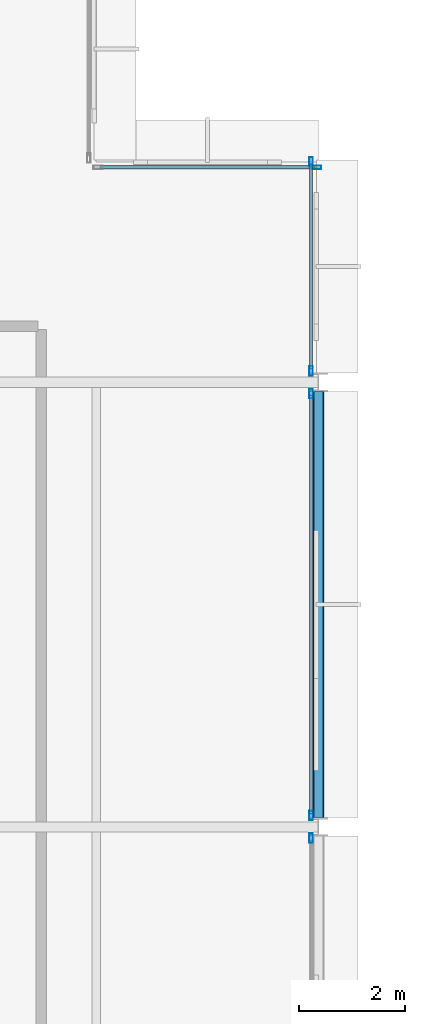
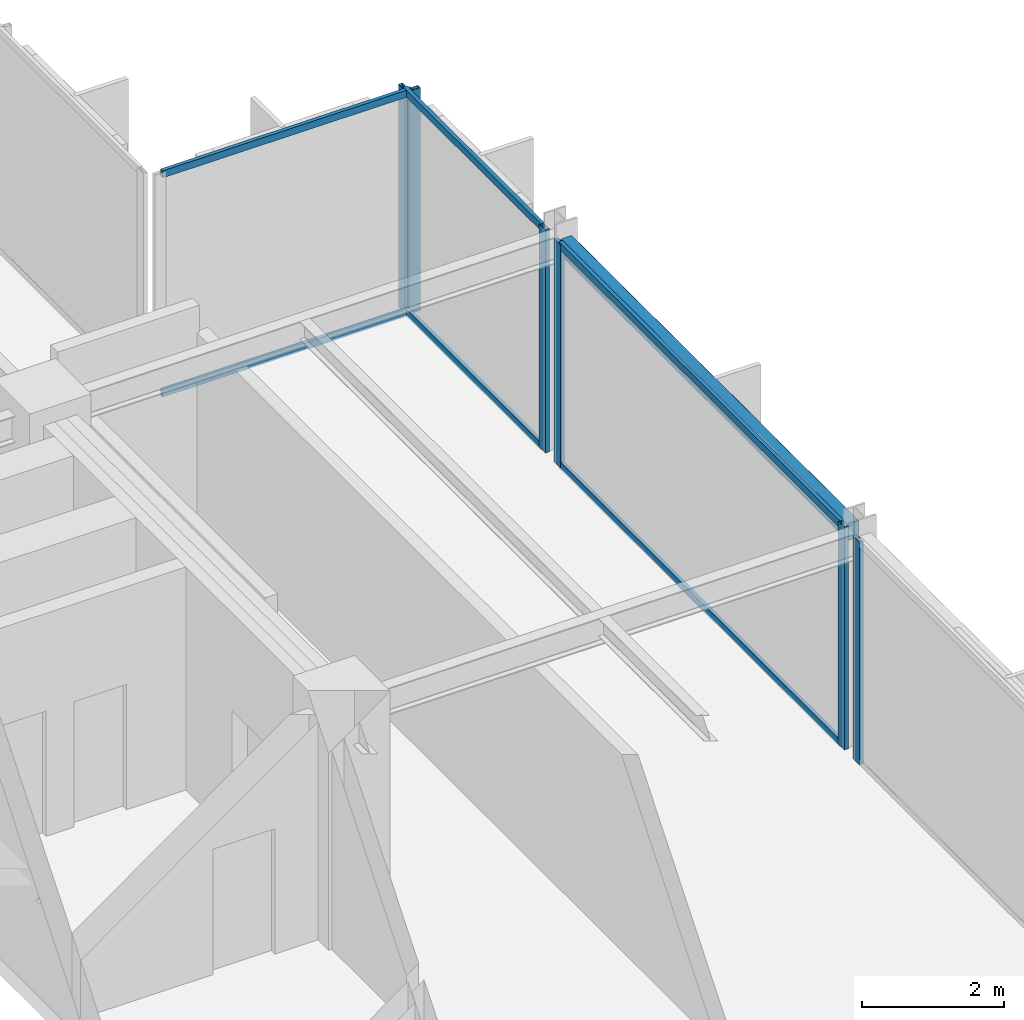
# One storey, part 22 of 30: 12 members, 1 beam, 4 elements without a shape of their own.
"""IFC4 building model written with IfcOpenShell, lengths in metres."""

import ifcopenshell
import ifcopenshell.guid

model = None  # the IFC model being written
_history = None  # IfcOwnerHistory: only IFC2X3 demands one
_inside = {}  # id of a spatial element -> (the spatial element, [elements in it])
_under = {}  # id of a project, library or spatial element -> (it, [spatial elements below it])
_declared = {}  # id of a project -> (the project, [libraries it declares])
_typed = {}  # id of a type object -> (the type object, [elements of that type])
_made_of = {}  # id of a material, layer set ... -> (it, [elements and type objects made of it])


def new_model(schema):
    """Start an empty IFC model of exactly this schema.

    Asked for "IFC4X3", IfcOpenShell would pick the latest addendum, in which some entities
    have other attributes; the version numbers below select the first issue.
    IFC2X3 requires an IfcOwnerHistory on every rooted entity: one is made here for all.
    """
    global model, _history
    if schema == "IFC4X3":
        model = ifcopenshell.file(schema_version=(4, 3, 0, 0))
    else:
        model = ifcopenshell.file(schema=schema)
    _inside.clear()
    _under.clear()
    _declared.clear()
    _typed.clear()
    _made_of.clear()
    _history = None
    if model.schema == "IFC2X3":
        org = make("IfcOrganization", Name="unknown")
        user = make(
            "IfcPersonAndOrganization",
            ThePerson=make("IfcPerson", FamilyName="unknown"),
            TheOrganization=org,
        )
        app = make(
            "IfcApplication",
            ApplicationDeveloper=org,
            Version="unknown",
            ApplicationFullName="unknown",
            ApplicationIdentifier="unknown",
        )
        _history = make(
            "IfcOwnerHistory",
            OwningUser=user,
            OwningApplication=app,
            ChangeAction="ADDED",
            CreationDate=0,
        )
    return model


def make(cls, **values):
    """One entity of the class cls with the attributes given. An attribute that is None is left unset."""
    return model.create_entity(
        cls, **{name: value for name, value in values.items() if value is not None}
    )


def rooted(cls, **values):
    """An entity with a GlobalId (a new one), such as an element, a storey or a relation."""
    return make(cls, GlobalId=ifcopenshell.guid.new(), OwnerHistory=_history, **values)


def si_unit(unit_type, name, prefix=None):
    """IfcSIUnit, for example si_unit("LENGTHUNIT", "METRE", prefix="MILLI")."""
    return make("IfcSIUnit", UnitType=unit_type, Prefix=prefix, Name=name)


def assignment(units):
    """IfcUnitAssignment: the units of a project."""
    return None if units is None else make("IfcUnitAssignment", Units=units)


def point(xyz):
    """IfcCartesianPoint."""
    return None if xyz is None else make("IfcCartesianPoint", Coordinates=xyz)


def direction(xyz):
    """IfcDirection."""
    return None if xyz is None else make("IfcDirection", DirectionRatios=xyz)


def frame(location, z_axis=None, x_axis=None):
    """IfcAxis2Placement3D, a coordinate frame: its origin and axes. An axis left out is left unset."""
    return make(
        "IfcAxis2Placement3D",
        Location=point(location),
        Axis=direction(z_axis),
        RefDirection=direction(x_axis),
    )


def frame_2d(location, x_axis=None):
    """IfcAxis2Placement2D, a coordinate frame in the plane: its origin and x axis."""
    return make(
        "IfcAxis2Placement2D", Location=point(location), RefDirection=direction(x_axis)
    )


def origin():
    """The frame at (0, 0, 0) with its axes left unset."""
    return frame((0.0, 0.0, 0.0))


def origin_2d():
    """The frame at (0, 0) in the plane with its x axis left unset."""
    return frame_2d((0.0, 0.0))


def place(relative_to, where):
    """IfcLocalPlacement: puts the frame where relative to a parent placement (None: the world)."""
    return make(
        "IfcLocalPlacement", PlacementRelTo=relative_to, RelativePlacement=where
    )


def context(
    kind, dimensions, precision=None, world=None, true_north=None, identifier=None
):
    """IfcGeometricRepresentationContext, for example the 3D "Model" context."""
    return make(
        "IfcGeometricRepresentationContext",
        ContextIdentifier=identifier,
        ContextType=kind,
        CoordinateSpaceDimension=dimensions,
        Precision=precision,
        WorldCoordinateSystem=world,
        TrueNorth=true_north,
    )


def subcontext(parent, identifier, kind, view, scale=None):
    """IfcGeometricRepresentationSubContext, for example "Body" below "Model"."""
    return make(
        "IfcGeometricRepresentationSubContext",
        ContextIdentifier=identifier,
        ContextType=kind,
        ParentContext=parent,
        TargetScale=scale,
        TargetView=view,
    )


def project(units=None, contexts=None):
    """IfcProject with its units and contexts."""
    return rooted(
        "IfcProject",
        Name="project",
        RepresentationContexts=contexts,
        UnitsInContext=assignment(units),
    )


def spatial(cls, under=None, at=None, **own):
    """A site, building, storey or space (cls), placed at a placement, below another one or the project."""
    s = rooted(cls, ObjectPlacement=at, **own)
    if under is not None:
        _under.setdefault(under.id(), (under, []))[1].append(s)
    return s


def profile(cls, at=None, kind="AREA", **sizes):
    """A parametric profile (cls). Its sizes go by their IFC names, for example OverallWidth=200.0."""
    return make(cls, ProfileType=kind, Position=at, **sizes)


def hollow_rectangle(**sizes):
    """IfcRectangleHollowProfileDef."""
    return profile("IfcRectangleHollowProfileDef", **sizes)


def extrude(swept, where, along, depth):
    """IfcExtrudedAreaSolid: the profile swept, set in the frame where, extruded along a direction by depth."""
    return make(
        "IfcExtrudedAreaSolid",
        SweptArea=swept,
        Position=where,
        ExtrudedDirection=direction(along),
        Depth=depth,
    )


def shape(context_of_items, identifier, shape_type, items):
    """IfcShapeRepresentation: the items that make up one representation, for example the "Body"."""
    return make(
        "IfcShapeRepresentation",
        ContextOfItems=context_of_items,
        RepresentationIdentifier=identifier,
        RepresentationType=shape_type,
        Items=items,
    )


def material(Name=None, Category=None):
    """IfcMaterial."""
    return make("IfcMaterial", Name=Name, Category=Category)


def layer(
    of_material, thickness, ventilated=None, Name=None, Category=None, Priority=None
):
    """IfcMaterialLayer: one layer of a wall or slab, of a material (None: an air gap)."""
    return make(
        "IfcMaterialLayer",
        Material=of_material,
        LayerThickness=thickness,
        IsVentilated=ventilated,
        Name=Name,
        Category=Category,
        Priority=Priority,
    )


def layer_set(layers, Name=None):
    """IfcMaterialLayerSet."""
    return make("IfcMaterialLayerSet", MaterialLayers=layers, LayerSetName=Name)


def material_profile(
    of_material, cross_section, Name=None, Category=None, Priority=None
):
    """IfcMaterialProfile: a cross section and its material."""
    return make(
        "IfcMaterialProfile",
        Name=Name,
        Material=of_material,
        Profile=cross_section,
        Priority=Priority,
        Category=Category,
    )


def profile_set(profiles, Name=None, composite=None):
    """IfcMaterialProfileSet."""
    return make(
        "IfcMaterialProfileSet",
        Name=Name,
        MaterialProfiles=profiles,
        CompositeProfile=composite,
    )


def made_of(thing, what):
    """Note that an element or type object is made of a material, layer set ...; save() writes the relation."""
    if what is not None:
        _made_of.setdefault(what.id(), (what, []))[1].append(thing)
    return thing


def type_object(cls, material=None, **own):
    """A type object (cls), such as IfcWallType, which elements share."""
    return made_of(rooted(cls, **own), material)


def element(
    cls,
    number,
    at=None,
    inside=None,
    cuts=None,
    type_object=None,
    material=None,
    context=None,
    identifier="Body",
    shape_type=None,
    held_by="IfcProductDefinitionShape",
    body=None,
    shapes=None,
    **own,
):
    """One element of the class cls, such as IfcWall. Its Tag is "e" and its number.

    at: its placement. inside: the storey or other place that contains it. cuts: it is an
    opening in that element (IfcRelVoidsElement). A single representation is given by context,
    identifier, shape_type and body (its items); several are given by shapes. held_by: the class
    of the entity that holds the representations. save() writes the other relations.
    """
    e = rooted(cls, Tag="e%d" % number, ObjectPlacement=at, **own)
    if body is not None:
        shapes = [shape(context, identifier, shape_type, body)]
    if shapes is not None:
        e.Representation = make(held_by, Representations=shapes)
    if inside is not None:
        _inside.setdefault(inside.id(), (inside, []))[1].append(e)
    if cuts is not None:
        rooted(
            "IfcRelVoidsElement", RelatingBuildingElement=cuts, RelatedOpeningElement=e
        )
    if type_object is not None:
        _typed.setdefault(type_object.id(), (type_object, []))[1].append(e)
    return made_of(e, material)


def aggregate(whole, parts):
    """IfcRelAggregates: a whole, such as a stair, and the parts it consists of."""
    return rooted("IfcRelAggregates", RelatingObject=whole, RelatedObjects=parts)


def save(model, path):
    """Write the relations noted so far, then the file.

    IfcRelAggregates (storeys below a building ...), IfcRelContainedInSpatialStructure (elements
    in a storey), IfcRelDefinesByType, IfcRelAssociatesMaterial and IfcRelDeclares: one each for
    every whole, place, type object, material and project.
    """
    for whole, parts in _under.values():
        aggregate(whole, parts)
    for where, things in _inside.values():
        rooted(
            "IfcRelContainedInSpatialStructure",
            RelatedElements=things,
            RelatingStructure=where,
        )
    for kind, things in _typed.values():
        rooted("IfcRelDefinesByType", RelatedObjects=things, RelatingType=kind)
    for what, things in _made_of.values():
        rooted("IfcRelAssociatesMaterial", RelatedObjects=things, RelatingMaterial=what)
    for by, libraries in _declared.values():
        rooted("IfcRelDeclares", RelatingContext=by, RelatedDefinitions=libraries)
    model.write(path)


model = new_model("IFC4")

# Units and contexts
model_context = context("Model", 3, precision=1e-05, world=origin(), true_north=direction((0.0, 1.0)))
body_context = subcontext(model_context, "Body", "Model", "MODEL_VIEW")
ifc_project = project(units=[si_unit("LENGTHUNIT", "METRE"), si_unit("AREAUNIT", "SQUARE_METRE"), si_unit("VOLUMEUNIT", "CUBIC_METRE"), si_unit("PLANEANGLEUNIT", "RADIAN"), si_unit("MASSUNIT", "GRAM", prefix="KILO")], contexts=[model_context])

# Site, building, storey
site_placement = place(None, origin())
site = spatial("IfcSite", under=ifc_project, at=site_placement, CompositionType="ELEMENT")
building_placement = place(site_placement, origin())
building = spatial("IfcBuilding", under=site, at=building_placement, Name="Nerrivon Quay Data Exchange", CompositionType="ELEMENT")
storey_placement = place(building_placement, frame((0.0, 0.0, 171.39990234375)))
storey = spatial("IfcBuildingStorey", under=building, at=storey_placement, Name="L40", CompositionType="ELEMENT", Elevation=171.39990234375)

# Beam
ifc_material_1 = material(Name="Steel Grade C350L0 (350 MPa)", Category="steel")
ifc_material_profile_1 = material_profile(ifc_material_1, hollow_rectangle(XDim=0.199951171875, YDim=0.300048828125, WallThickness=0.012451171875, InnerFilletRadius=0.018798828125, OuterFilletRadius=0.03125, at=origin_2d()), Name="300x200x12.5RHS")
ifc_profile_set_1 = profile_set([ifc_material_profile_1], Name="Steel Grade C350L0 (350 MPa)")
beam_type = type_object("IfcBeamType", Name="BM-SP3-300x200RHS", PredefinedType="SPANDREL", material=ifc_profile_set_1)
beam_placement = place(storey_placement, frame((25.199951171875, 33.77490234375, 3.675048828125), z_axis=(0.0, 1.0, 0.0), x_axis=(-1.0, 0.0, 0.0)))
element("IfcBeam", 1, at=beam_placement, inside=storey, type_object=beam_type, Name="L40 NS Girder X=25.2 (33.6..42.0)", PredefinedType="SPANDREL", context=body_context, shape_type="SweptSolid", body=[
    extrude(hollow_rectangle(XDim=0.199951171875, YDim=0.300048828125, WallThickness=0.012451171875, InnerFilletRadius=0.018798828125, OuterFilletRadius=0.03125, at=origin_2d()), origin(), (0.0, 0.0, 1.0), 8.050048828125),
])

# Curtain wall, member
ifc_material_2 = material(Name="Anodised aluminium 6063-T6", Category="aluminium")
ifc_layer = layer(ifc_material_2, 0.195068359375)
ifc_layer_set = layer_set([ifc_layer], Name="Anodised aluminium 6063-T6")
curtain_wall_type = type_object("IfcCurtainWallType", Name="CW-SYS-06", PredefinedType="NOTDEFINED", material=ifc_layer_set)
curtain_wall_1_placement = place(storey_placement, origin())
curtain_wall_1 = element("IfcCurtainWall", 2, at=curtain_wall_1_placement, inside=storey, type_object=curtain_wall_type, Name="L40 Unitised Curtain Wall 12", PredefinedType="NOTDEFINED")
ifc_material_profile_2 = material_profile(ifc_material_2, hollow_rectangle(XDim=0.06494140625, YDim=0.179931640625, WallThickness=0.00341796875, at=origin_2d()), Name="ALU-MULL-180x65")
ifc_profile_set_2 = profile_set([ifc_material_profile_2], Name="Anodised aluminium 6063-T6")
member_type_1 = type_object("IfcMemberType", Name="CWM-180x65", PredefinedType="MULLION", material=ifc_profile_set_2)
member_1_placement = place(storey_placement, frame((25.16259765625, 46.06005859375, 0.0), z_axis=(0.0, 0.0, 1.0), x_axis=(0.0, 1.0, 0.0)))
member_1 = element("IfcMember", 3, at=member_1_placement, type_object=member_type_1, Name="CW06 mullion 2", PredefinedType="MULLION", context=body_context, shape_type="SweptSolid", body=[
    extrude(hollow_rectangle(XDim=0.06494140625, YDim=0.179931640625, WallThickness=0.00341796875, at=origin_2d()), origin(), (0.0, 0.0, 1.0), 3.8251953125),
])

# Curtain wall, members
curtain_wall_2_placement = place(storey_placement, origin())
curtain_wall_2 = element("IfcCurtainWall", 4, at=curtain_wall_2_placement, inside=storey, type_object=curtain_wall_type, Name="L40 Unitised Curtain Wall 13", PredefinedType="NOTDEFINED")
member_2_placement = place(storey_placement, frame((25.06005859375, 46.16259765625, 0.0), z_axis=(0.0, 0.0, 1.0), x_axis=(1.0, 0.0, 0.0)))
member_2 = element("IfcMember", 5, at=member_2_placement, type_object=member_type_1, Name="CW06 mullion 1", PredefinedType="MULLION", context=body_context, shape_type="SweptSolid", body=[
    extrude(hollow_rectangle(XDim=0.06494140625, YDim=0.179931640625, WallThickness=0.00341796875, at=origin_2d()), origin(), (0.0, 0.0, 1.0), 3.8251953125),
])
member_3_placement = place(storey_placement, frame((25.06005859375, 42.21240234375, 0.0), z_axis=(0.0, 0.0, 1.0), x_axis=(1.0, 0.0, 0.0)))
member_3 = element("IfcMember", 6, at=member_3_placement, type_object=member_type_1, Name="CW06 mullion 2", PredefinedType="MULLION", context=body_context, shape_type="SweptSolid", body=[
    extrude(hollow_rectangle(XDim=0.06494140625, YDim=0.179931640625, WallThickness=0.00341796875, at=origin_2d()), origin(), (0.0, 0.0, 1.0), 3.8251953125),
])

curtain_wall_3_placement = place(storey_placement, origin())
curtain_wall_3 = element("IfcCurtainWall", 7, at=curtain_wall_3_placement, inside=storey, type_object=curtain_wall_type, Name="L40 Unitised Curtain Wall 14", PredefinedType="NOTDEFINED")
member_4_placement = place(storey_placement, frame((25.06005859375, 41.78759765625, 0.0), z_axis=(0.0, 0.0, 1.0), x_axis=(1.0, 0.0, 0.0)))
member_4 = element("IfcMember", 8, at=member_4_placement, type_object=member_type_1, Name="CW06 mullion 1", PredefinedType="MULLION", context=body_context, shape_type="SweptSolid", body=[
    extrude(hollow_rectangle(XDim=0.06494140625, YDim=0.179931640625, WallThickness=0.00341796875, at=origin_2d()), origin(), (0.0, 0.0, 1.0), 3.8251953125),
])
member_5_placement = place(storey_placement, frame((25.06005859375, 33.8125, 0.0), z_axis=(0.0, 0.0, 1.0), x_axis=(1.0, 0.0, 0.0)))
member_5 = element("IfcMember", 9, at=member_5_placement, type_object=member_type_1, Name="CW06 mullion 2", PredefinedType="MULLION", context=body_context, shape_type="SweptSolid", body=[
    extrude(hollow_rectangle(XDim=0.06494140625, YDim=0.179931640625, WallThickness=0.00341796875, at=origin_2d()), origin(), (0.0, 0.0, 1.0), 3.8251953125),
])

# Curtain wall, member
curtain_wall_4_placement = place(storey_placement, origin())
curtain_wall_4 = element("IfcCurtainWall", 10, at=curtain_wall_4_placement, inside=storey, type_object=curtain_wall_type, Name="L40 Unitised Curtain Wall 15", PredefinedType="NOTDEFINED")
member_6_placement = place(storey_placement, frame((25.06005859375, 33.387451171875, 0.0), z_axis=(0.0, 0.0, 1.0), x_axis=(1.0, 0.0, 0.0)))
member_6 = element("IfcMember", 11, at=member_6_placement, type_object=member_type_1, Name="CW06 mullion 1", PredefinedType="MULLION", context=body_context, shape_type="SweptSolid", body=[
    extrude(hollow_rectangle(XDim=0.06494140625, YDim=0.179931640625, WallThickness=0.00341796875, at=origin_2d()), origin(), (0.0, 0.0, 1.0), 3.8251953125),
])
aggregate(curtain_wall_4, [member_6])

# Member
ifc_material_profile_3 = material_profile(ifc_material_2, hollow_rectangle(XDim=0.06005859375, YDim=0.1201171875, WallThickness=0.003173828125, at=origin_2d()), Name="ALU-TRAN-120x60")
ifc_profile_set_3 = profile_set([ifc_material_profile_3], Name="Anodised aluminium 6063-T6")
member_type_2 = type_object("IfcMemberType", Name="CWT-120x60", PredefinedType="USERDEFINED", material=ifc_profile_set_3)
member_7_placement = place(storey_placement, frame((21.074951171875, 46.06005859375, 0.03271484375), z_axis=(1.0, 0.0, 0.0), x_axis=(0.0, 1.0, 0.0)))
member_7 = element("IfcMember", 12, at=member_7_placement, type_object=member_type_2, Name="CW06 transom 1.1", ObjectType="TRANSOM", PredefinedType="USERDEFINED", context=body_context, shape_type="SweptSolid", body=[
    extrude(hollow_rectangle(XDim=0.06005859375, YDim=0.1201171875, WallThickness=0.003173828125, at=origin_2d()), origin(), (0.0, 0.0, 1.0), 4.050048828125),
])

member_8_placement = place(storey_placement, frame((21.074951171875, 46.06005859375, 3.79248046875), z_axis=(1.0, 0.0, 0.0), x_axis=(0.0, 1.0, 0.0)))
member_8 = element("IfcMember", 13, at=member_8_placement, type_object=member_type_2, Name="CW06 transom 1.2", ObjectType="TRANSOM", PredefinedType="USERDEFINED", context=body_context, shape_type="SweptSolid", body=[
    extrude(hollow_rectangle(XDim=0.06005859375, YDim=0.1201171875, WallThickness=0.003173828125, at=origin_2d()), origin(), (0.0, 0.0, 1.0), 4.050048828125),
])

aggregate(curtain_wall_1, [member_1, member_7, member_8])

member_9_placement = place(storey_placement, frame((25.06005859375, 46.125, 0.03271484375), z_axis=(0.0, -1.0, 0.0), x_axis=(1.0, 0.0, 0.0)))
member_9 = element("IfcMember", 14, at=member_9_placement, type_object=member_type_2, Name="CW06 transom 1.1", ObjectType="TRANSOM", PredefinedType="USERDEFINED", context=body_context, shape_type="SweptSolid", body=[
    extrude(hollow_rectangle(XDim=0.06005859375, YDim=0.1201171875, WallThickness=0.003173828125, at=origin_2d()), origin(), (0.0, 0.0, 1.0), 3.875),
])

member_10_placement = place(storey_placement, frame((25.06005859375, 46.125, 3.79248046875), z_axis=(0.0, -1.0, 0.0), x_axis=(1.0, 0.0, 0.0)))
member_10 = element("IfcMember", 15, at=member_10_placement, type_object=member_type_2, Name="CW06 transom 1.2", ObjectType="TRANSOM", PredefinedType="USERDEFINED", context=body_context, shape_type="SweptSolid", body=[
    extrude(hollow_rectangle(XDim=0.06005859375, YDim=0.1201171875, WallThickness=0.003173828125, at=origin_2d()), origin(), (0.0, 0.0, 1.0), 3.875),
])

aggregate(curtain_wall_2, [member_2, member_3, member_9, member_10])

member_11_placement = place(storey_placement, frame((25.06005859375, 41.75, 0.03271484375), z_axis=(0.0, -1.0, 0.0), x_axis=(1.0, 0.0, 0.0)))
member_11 = element("IfcMember", 16, at=member_11_placement, type_object=member_type_2, Name="CW06 transom 1.1", ObjectType="TRANSOM", PredefinedType="USERDEFINED", context=body_context, shape_type="SweptSolid", body=[
    extrude(hollow_rectangle(XDim=0.06005859375, YDim=0.1201171875, WallThickness=0.003173828125, at=origin_2d()), origin(), (0.0, 0.0, 1.0), 7.89990234375),
])

member_12_placement = place(storey_placement, frame((25.06005859375, 41.75, 3.79248046875), z_axis=(0.0, -1.0, 0.0), x_axis=(1.0, 0.0, 0.0)))
member_12 = element("IfcMember", 17, at=member_12_placement, type_object=member_type_2, Name="CW06 transom 1.2", ObjectType="TRANSOM", PredefinedType="USERDEFINED", context=body_context, shape_type="SweptSolid", body=[
    extrude(hollow_rectangle(XDim=0.06005859375, YDim=0.1201171875, WallThickness=0.003173828125, at=origin_2d()), origin(), (0.0, 0.0, 1.0), 7.89990234375),
])

aggregate(curtain_wall_3, [member_4, member_5, member_11, member_12])

save(model, "model.ifc")
